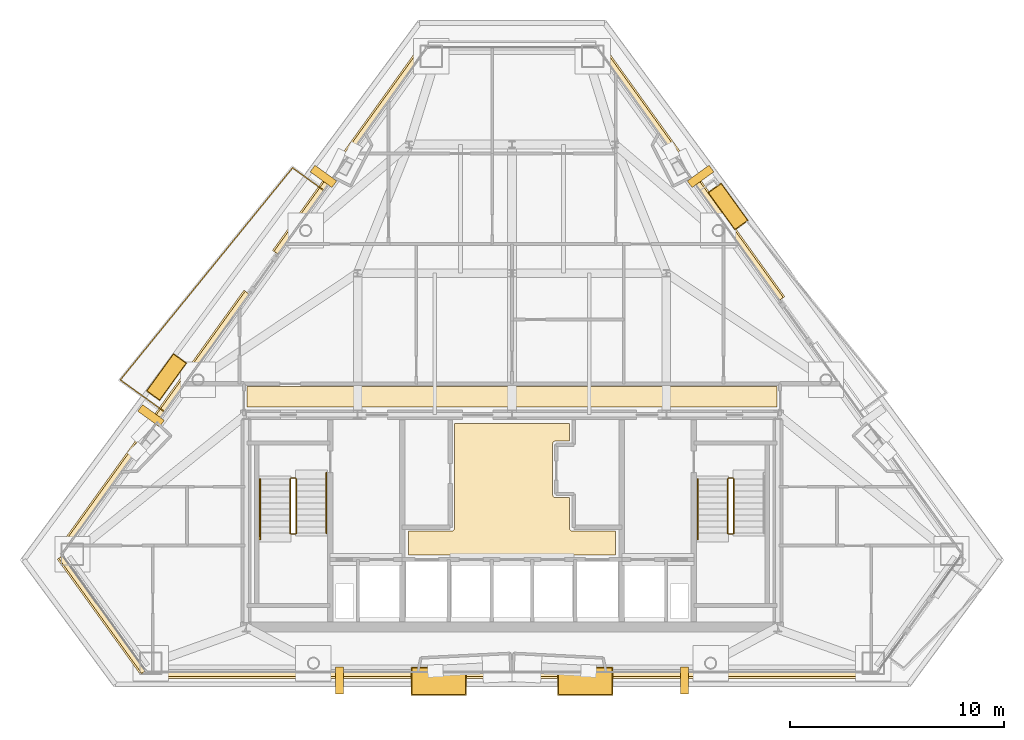
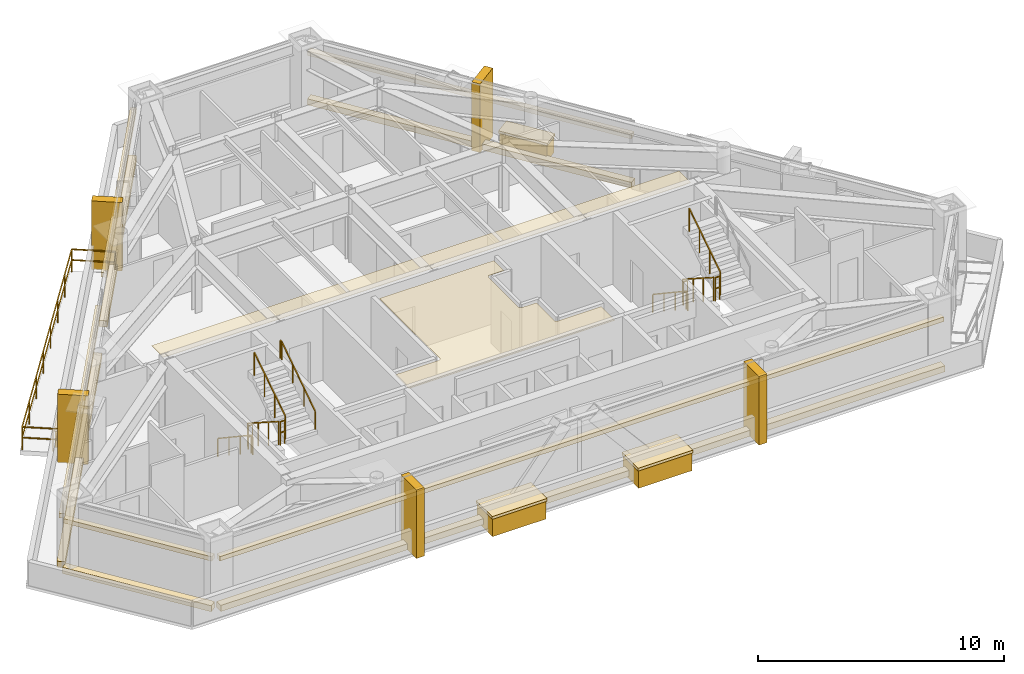
# One storey, part 10 of 11: 25 coverings, 12 railings.
"""IFC4 building model written with IfcOpenShell, lengths in metres."""

from ifc_helpers import new_model, si_unit, direction, frame, origin, origin_2d, place, context, subcontext, project, spatial, polyline, rectangle, outline, extrude, material, layer, layer_set, type_object, element, save


model = new_model("IFC4")

# Units and contexts
model_context = context("Model", 3, precision=1e-05, world=origin(), true_north=direction((0.0, 1.0)))
body_context = subcontext(model_context, "Body", "Model", "MODEL_VIEW")
ifc_project = project(units=[si_unit("LENGTHUNIT", "METRE"), si_unit("AREAUNIT", "SQUARE_METRE"), si_unit("VOLUMEUNIT", "CUBIC_METRE"), si_unit("PLANEANGLEUNIT", "RADIAN"), si_unit("MASSUNIT", "GRAM", prefix="KILO")], contexts=[model_context])

# Site, building, storey
site_placement = place(None, origin())
site = spatial("IfcSite", under=ifc_project, at=site_placement, CompositionType="ELEMENT")
building_placement = place(site_placement, origin())
building = spatial("IfcBuilding", under=site, at=building_placement, Name="Talgorran Terracotta Tower", CompositionType="ELEMENT")
storey_placement = place(building_placement, frame((0.0, 0.0, 185.699951171875)))
storey = spatial("IfcBuildingStorey", under=building, at=storey_placement, Name="L48", CompositionType="ELEMENT", Elevation=185.699951171875)

# Coverings
ifc_material_1 = material(Name="Kiln-Fired Terracotta Ochre Ceramic", Category="masonry")
ifc_layer_1 = layer(ifc_material_1, 0.179931640625, Name="COV_BAGUETTE_TERRACOTTA_SCREEN")
ifc_layer_set_1 = layer_set([ifc_layer_1], Name="Kiln-Fired Terracotta Ochre Ceramic")
covering_type_1 = type_object("IfcCoveringType", Name="COV_BAGUETTE_TERRACOTTA_SCREEN", PredefinedType="CLADDING", material=ifc_layer_set_1)
covering_1_placement = place(storey_placement, frame((-19.0947265625, -13.504638671875, 2.41015625), z_axis=(0.0, 0.0, 1.0), x_axis=(0.584405465888, -0.811461799125, 0.0)))
element("IfcCovering", 1, at=covering_1_placement, inside=storey, type_object=covering_type_1, Name="L48 Terracotta Baguette Solar Screen Assembly F0", PredefinedType="CLADDING", context=body_context, shape_type="SweptSolid", body=[
    extrude(rectangle(XDim=6.61181640625, YDim=0.260009765625, at=origin_2d()), origin(), (0.0, 0.0, 1.0), 0.219970703125),
])
covering_2_placement = place(storey_placement, frame((0.0, -16.28564453125, 2.41015625), z_axis=(0.0, 0.0, 1.0), x_axis=(1.0, 0.0, 0.0)))
element("IfcCovering", 2, at=covering_2_placement, inside=storey, type_object=covering_type_1, Name="L48 Terracotta Baguette Solar Screen Assembly F1", PredefinedType="CLADDING", context=body_context, shape_type="SweptSolid", body=[
    extrude(rectangle(XDim=33.941650390625, YDim=0.260009765625, at=origin_2d()), origin(), (0.0, 0.0, 1.0), 0.219970703125),
])
covering_3_placement = place(storey_placement, frame((8.3291015625, 7.03955078125, 2.41015625), z_axis=(0.0, 0.0, 1.0), x_axis=(-0.584405465888, 0.811461799125, 0.0)))
element("IfcCovering", 3, at=covering_3_placement, inside=storey, type_object=covering_type_1, Name="L48 Terracotta Baguette Solar Screen Assembly F41", PredefinedType="CLADDING", context=body_context, shape_type="SweptSolid", body=[
    extrude(rectangle(XDim=14.417724609375, YDim=0.260009765625, at=origin_2d()), origin(), (0.0, 0.0, 1.0), 0.219970703125),
])
covering_4_placement = place(storey_placement, frame((-7.55322265625, 8.11669921875, 2.41015625), z_axis=(0.0, 0.0, 1.0), x_axis=(-0.584405465888, -0.811461799125, 0.0)))
element("IfcCovering", 4, at=covering_4_placement, inside=storey, type_object=covering_type_1, Name="L48 Terracotta Baguette Solar Screen Assembly F60", PredefinedType="CLADDING", context=body_context, shape_type="SweptSolid", body=[
    extrude(rectangle(XDim=11.76318359375, YDim=0.260009765625, at=origin_2d()), origin(), (0.0, 0.0, 1.0), 0.219970703125),
])
covering_5_placement = place(storey_placement, frame((-16.669189453125, -4.540771484375, 2.41015625), z_axis=(0.0, 0.0, 1.0), x_axis=(-0.584405465888, -0.811461799125, 0.0)))
element("IfcCovering", 5, at=covering_5_placement, inside=storey, type_object=covering_type_1, Name="L48 Terracotta Baguette Solar Screen Assembly F61", PredefinedType="CLADDING", context=body_context, shape_type="SweptSolid", body=[
    extrude(rectangle(XDim=14.833251953125, YDim=0.260009765625, at=origin_2d()), origin(), (0.0, 0.0, 1.0), 0.219970703125),
])
ifc_material_2 = material(Name="Mineral Fibre Acoustic Tile")
ifc_layer_2 = layer(ifc_material_2, 0.02490234375, Name="COV_CEIL_ACOUSTIC")
ifc_layer_set_2 = layer_set([ifc_layer_2], Name="Mineral Fibre Acoustic Tile")
covering_type_2 = type_object("IfcCoveringType", Name="COV_CEIL_ACOUSTIC", PredefinedType="CEILING", material=ifc_layer_set_2)
covering_6_placement = place(storey_placement, frame((0.0, 0.0, 3.260009765625)))
element("IfcCovering", 6, at=covering_6_placement, inside=storey, type_object=covering_type_2, Name="CEIL-L48-2", PredefinedType="CEILING", context=body_context, shape_type="SweptSolid", body=[
    extrude(outline(polyline([(-12.364990234375, -2.885009765625), (12.364990234375, -2.885009765625), (12.364990234375, -3.830078125), (12.169921875, -3.830078125), (12.158203125, -3.83056640625), (12.146484375, -3.832275390625), (12.13525390625, -3.835205078125), (12.1240234375, -3.839111328125), (12.11328125, -3.84423828125), (12.112060546875, -3.844970703125), (7.432861328125, -3.844970703125), (6.968017578125, -3.843017578125), (6.967529296875, -3.843017578125), (0.232666015625, -3.844970703125), (-0.23193359375, -3.843017578125), (-0.232421875, -3.843017578125), (-6.96728515625, -3.844970703125), (-7.431884765625, -3.843017578125), (-7.4326171875, -3.843017578125), (-12.112060546875, -3.844970703125), (-12.11328125, -3.84423828125), (-12.1240234375, -3.839111328125), (-12.13525390625, -3.835205078125), (-12.146484375, -3.832275390625), (-12.158203125, -3.83056640625), (-12.169921875, -3.830078125), (-12.364990234375, -3.830078125), (-12.364990234375, -2.885009765625)])), origin(), (0.0, 0.0, 1.0), 0.02001953125),
])
ifc_material_3 = material(Name="Flush Moisture-Resistant Plaster")
ifc_layer_3 = layer(ifc_material_3, 0.01806640625, Name="COV_CEIL_PLASTER")
ifc_layer_set_3 = layer_set([ifc_layer_3], Name="Flush Moisture-Resistant Plaster")
covering_type_3 = type_object("IfcCoveringType", Name="COV_CEIL_PLASTER", PredefinedType="CEILING", material=ifc_layer_set_3)
covering_7_placement = place(storey_placement, frame((0.0, 0.0, 3.260009765625)))
element("IfcCovering", 7, at=covering_7_placement, inside=storey, type_object=covering_type_3, Name="CEIL-L48-1", PredefinedType="CEILING", context=body_context, shape_type="SweptSolid", body=[
    extrude(outline(polyline([(4.830078125, -9.6201171875), (4.830078125, -10.72998046875), (-4.830078125, -10.72998046875), (-4.830078125, -9.6201171875), (-2.800048828125, -9.6201171875), (-2.7880859375, -9.619384765625), (-2.776611328125, -9.61767578125), (-2.76513671875, -9.61474609375), (-2.754150390625, -9.61083984375), (-2.743408203125, -9.605712890625), (-2.7333984375, -9.599853515625), (-2.723876953125, -9.5927734375), (-2.715087890625, -9.5849609375), (-2.707275390625, -9.576171875), (-2.7001953125, -9.566650390625), (-2.694091796875, -9.556640625), (-2.689208984375, -9.5458984375), (-2.685302734375, -9.534912109375), (-2.682373046875, -9.5234375), (-2.6806640625, -9.51171875), (-2.679931640625, -9.5), (-2.679931640625, -4.6201171875), (2.679931640625, -4.6201171875), (2.679931640625, -5.429931640625), (2.02001953125, -5.429931640625), (2.00830078125, -5.4306640625), (1.99658203125, -5.432373046875), (1.985107421875, -5.435302734375), (1.97412109375, -5.439208984375), (1.96337890625, -5.444091796875), (1.953369140625, -5.4501953125), (1.94384765625, -5.457275390625), (1.93505859375, -5.465087890625), (1.92724609375, -5.473876953125), (1.920166015625, -5.4833984375), (1.914306640625, -5.493408203125), (1.9091796875, -5.504150390625), (1.9052734375, -5.51513671875), (1.90234375, -5.526611328125), (1.900634765625, -5.5380859375), (1.89990234375, -5.550048828125), (1.89990234375, -7.949951171875), (1.900634765625, -7.9619140625), (1.90234375, -7.973388671875), (1.9052734375, -7.98486328125), (1.9091796875, -7.995849609375), (1.914306640625, -8.006591796875), (1.920166015625, -8.0166015625), (1.92724609375, -8.026123046875), (1.93505859375, -8.034912109375), (1.94384765625, -8.042724609375), (1.953369140625, -8.0498046875), (1.96337890625, -8.055908203125), (1.97412109375, -8.060791015625), (1.985107421875, -8.064697265625), (1.99658203125, -8.067626953125), (2.00830078125, -8.0693359375), (2.02001953125, -8.070068359375), (2.679931640625, -8.070068359375), (2.679931640625, -9.5), (2.6806640625, -9.51171875), (2.682373046875, -9.5234375), (2.685302734375, -9.534912109375), (2.689208984375, -9.5458984375), (2.694091796875, -9.556640625), (2.7001953125, -9.566650390625), (2.707275390625, -9.576171875), (2.715087890625, -9.5849609375), (2.723876953125, -9.5927734375), (2.7333984375, -9.599853515625), (2.743408203125, -9.605712890625), (2.754150390625, -9.61083984375), (2.76513671875, -9.61474609375), (2.776611328125, -9.61767578125), (2.7880859375, -9.619384765625), (2.800048828125, -9.6201171875), (4.830078125, -9.6201171875)])), origin(), (0.0, 0.0, 1.0), 0.02001953125),
])
ifc_material_4 = material(Name="Honed Limestone and Terracotta Planter", Category="masonry")
ifc_layer_4 = layer(ifc_material_4, 0.1201171875, Name="COV_PLANTER_BOX")
ifc_layer_set_4 = layer_set([ifc_layer_4], Name="Honed Limestone and Terracotta Planter")
covering_type_4 = type_object("IfcCoveringType", Name="COV_PLANTER_BOX", PredefinedType="CLADDING", material=ifc_layer_set_4)
for number, where, z_axis, x_axis, name in (
    (8, (-3.42041015625, -16.62548828125, -0.179931640625), (0.0, 0.0, 1.0), (1.0, 0.0, 0.0), "L48 Staggered South Facade Planter Box 1"),
    (9, (3.42041015625, -16.62548828125, -0.179931640625), (0.0, 0.0, 1.0), (1.0, 0.0, 0.0), "L48 Staggered South Facade Planter Box 2"),
):
    element("IfcCovering", number, at=place(storey_placement, frame(where, z_axis=z_axis, x_axis=x_axis)), inside=storey, type_object=covering_type_4, Name=name, PredefinedType="CLADDING", context=body_context, shape_type="SweptSolid", body=[
        extrude(rectangle(XDim=2.5, YDim=1.25, at=origin_2d()), origin(), (0.0, 0.0, 1.0), 0.919921875),
    ])
for number, where, z_axis, x_axis, name in (
    (10, (10.072998046875, 5.506103515625, -0.02001953125), (0.0, 0.0, 1.0), (-0.584405465888, 0.811461799125, 0.0), "L48 Staggered Balcony Planter Box BAL-NE"),
    (11, (-16.107177734375, -2.44287109375, -0.02001953125), (0.0, 0.0, 1.0), (-0.584405465888, -0.811461799125, 0.0), "L48 Staggered Balcony Planter Box BAL-NW"),
):
    element("IfcCovering", number, at=place(storey_placement, frame(where, z_axis=z_axis, x_axis=x_axis)), inside=storey, type_object=covering_type_4, Name=name, PredefinedType="CLADDING", context=body_context, shape_type="SweptSolid", body=[
        extrude(rectangle(XDim=2.10009765625, YDim=0.719970703125, at=origin_2d()), origin(), (0.0, 0.0, 1.0), 0.860107421875),
    ])
ifc_material_5 = material(Name="Kiln-Fired Terracotta Planter Rim", Category="masonry")
ifc_layer_5 = layer(ifc_material_5, 0.10009765625, Name="COV_PLANTER_RIM")
ifc_layer_set_5 = layer_set([ifc_layer_5], Name="Kiln-Fired Terracotta Planter Rim")
covering_type_5 = type_object("IfcCoveringType", Name="COV_PLANTER_RIM", PredefinedType="CLADDING", material=ifc_layer_set_5)
for number, where, z_axis, x_axis, name in (
    (12, (-3.42041015625, -16.62548828125, 0.7099609375), (0.0, 0.0, 1.0), (1.0, 0.0, 0.0), "L48 South Planter Terracotta Rim 1"),
    (13, (3.42041015625, -16.62548828125, 0.7099609375), (0.0, 0.0, 1.0), (1.0, 0.0, 0.0), "L48 South Planter Terracotta Rim 2"),
):
    element("IfcCovering", number, at=place(storey_placement, frame(where, z_axis=z_axis, x_axis=x_axis)), inside=storey, type_object=covering_type_5, Name=name, PredefinedType="CLADDING", context=body_context, shape_type="SweptSolid", body=[
        extrude(rectangle(XDim=2.580078125, YDim=1.320068359375, at=origin_2d()), origin(), (0.0, 0.0, 1.0), 0.139892578125),
    ])
for number, where, z_axis, x_axis, name in (
    (14, (10.072998046875, 5.506103515625, 0.800048828125), (0.0, 0.0, 1.0), (-0.584405465888, 0.811461799125, 0.0), "L48 Balcony Planter Terracotta Rim BAL-NE"),
    (15, (-16.107177734375, -2.44287109375, 0.800048828125), (0.0, 0.0, 1.0), (-0.584405465888, -0.811461799125, 0.0), "L48 Balcony Planter Terracotta Rim BAL-NW"),
):
    element("IfcCovering", number, at=place(storey_placement, frame(where, z_axis=z_axis, x_axis=x_axis)), inside=storey, type_object=covering_type_5, Name=name, PredefinedType="CLADDING", context=body_context, shape_type="SweptSolid", body=[
        extrude(rectangle(XDim=2.179931640625, YDim=0.780029296875, at=origin_2d()), origin(), (0.0, 0.0, 1.0), 0.1201171875),
    ])
ifc_material_6 = material(Name="Honed Limestone Cladding", Category="masonry")
ifc_layer_6 = layer(ifc_material_6, 0.094970703125, Name="COV_PORTAL_LIME")
ifc_layer_set_6 = layer_set([ifc_layer_6], Name="Honed Limestone Cladding")
covering_type_6 = type_object("IfcCoveringType", Name="COV_PORTAL_LIME", PredefinedType="CLADDING", material=ifc_layer_set_6)
covering_8_placement = place(storey_placement, frame((-19.127197265625, -13.528076171875, -0.0400390625), z_axis=(0.0, 0.0, 1.0), x_axis=(0.584405465888, -0.811461799125, 0.0)))
element("IfcCovering", 16, at=covering_8_placement, inside=storey, type_object=covering_type_6, Name="L48 Striped Postmodern Portal Cladding Band F0", PredefinedType="CLADDING", context=body_context, shape_type="SweptSolid", body=[
    extrude(rectangle(XDim=6.6318359375, YDim=0.340087890625, at=origin_2d()), origin(), (0.0, 0.0, 1.0), 0.300048828125),
])
covering_9_placement = place(storey_placement, frame((0.0, -16.32568359375, -0.0400390625), z_axis=(0.0, 0.0, 1.0), x_axis=(1.0, 0.0, 0.0)))
element("IfcCovering", 17, at=covering_9_placement, inside=storey, type_object=covering_type_6, Name="L48 Striped Postmodern Portal Cladding Band F1", PredefinedType="CLADDING", context=body_context, shape_type="SweptSolid", body=[
    extrude(rectangle(XDim=33.961669921875, YDim=0.340087890625, at=origin_2d()), origin(), (0.0, 0.0, 1.0), 0.300048828125),
])
covering_10_placement = place(storey_placement, frame((8.361572265625, 7.06298828125, -0.0400390625), z_axis=(0.0, 0.0, 1.0), x_axis=(-0.584405465888, 0.811461799125, 0.0)))
element("IfcCovering", 18, at=covering_10_placement, inside=storey, type_object=covering_type_6, Name="L48 Striped Postmodern Portal Cladding Band F41", PredefinedType="CLADDING", context=body_context, shape_type="SweptSolid", body=[
    extrude(rectangle(XDim=14.437744140625, YDim=0.340087890625, at=origin_2d()), origin(), (0.0, 0.0, 1.0), 0.300048828125),
])
covering_11_placement = place(storey_placement, frame((-7.585693359375, 8.139892578125, -0.0400390625), z_axis=(0.0, 0.0, 1.0), x_axis=(-0.584405465888, -0.811461799125, 0.0)))
element("IfcCovering", 19, at=covering_11_placement, inside=storey, type_object=covering_type_6, Name="L48 Striped Postmodern Portal Cladding Band F60", PredefinedType="CLADDING", context=body_context, shape_type="SweptSolid", body=[
    extrude(rectangle(XDim=11.783203125, YDim=0.340087890625, at=origin_2d()), origin(), (0.0, 0.0, 1.0), 0.300048828125),
])
covering_12_placement = place(storey_placement, frame((-16.70166015625, -4.517333984375, -0.0400390625), z_axis=(0.0, 0.0, 1.0), x_axis=(-0.584405465888, -0.811461799125, 0.0)))
element("IfcCovering", 20, at=covering_12_placement, inside=storey, type_object=covering_type_6, Name="L48 Striped Postmodern Portal Cladding Band F61", PredefinedType="CLADDING", context=body_context, shape_type="SweptSolid", body=[
    extrude(rectangle(XDim=14.853271484375, YDim=0.340087890625, at=origin_2d()), origin(), (0.0, 0.0, 1.0), 0.300048828125),
])
for number, where, z_axis, x_axis, name in (
    (21, (8.0380859375, -16.585693359375, -0.0498046875), (0.0, 0.0, 1.0), (1.0, 0.0, 0.0), "L48 White Striped Portal Fin F1-2"),
    (22, (8.79150390625, 6.910888671875, -0.0498046875), (0.0, 0.0, 1.0), (-0.584405465888, 0.811461799125, 0.0), "L48 White Striped Portal Fin F3-2"),
    (23, (-16.82958984375, -4.250244140625, -0.0498046875), (0.0, 0.0, 1.0), (-0.584405465888, -0.811461799125, 0.0), "L48 White Striped Portal Fin F5-2"),
):
    element("IfcCovering", number, at=place(storey_placement, frame(where, z_axis=z_axis, x_axis=x_axis)), inside=storey, type_object=covering_type_6, Name=name, PredefinedType="CLADDING", context=body_context, shape_type="SweptSolid", body=[
        extrude(rectangle(XDim=0.3798828125, YDim=1.25, at=origin_2d()), origin(), (0.0, 0.0, 1.0), 3.39990234375),
    ])
ifc_material_7 = material(Name="Kiln-Fired Terracotta Cladding", Category="masonry")
ifc_layer_7 = layer(ifc_material_7, 0.090087890625, Name="COV_PORTAL_TERRA")
ifc_layer_set_7 = layer_set([ifc_layer_7], Name="Kiln-Fired Terracotta Cladding")
covering_type_7 = type_object("IfcCoveringType", Name="COV_PORTAL_TERRA", PredefinedType="CLADDING", material=ifc_layer_set_7)
for number, where, z_axis, x_axis, name in (
    (24, (-8.0380859375, -16.585693359375, -0.0498046875), (0.0, 0.0, 1.0), (1.0, 0.0, 0.0), "L48 Terracotta Striped Portal Fin F1-1"),
    (25, (-8.79150390625, 6.910888671875, -0.0498046875), (0.0, 0.0, 1.0), (-0.584405465888, -0.811461799125, 0.0), "L48 Terracotta Striped Portal Fin F5-1"),
):
    element("IfcCovering", number, at=place(storey_placement, frame(where, z_axis=z_axis, x_axis=x_axis)), inside=storey, type_object=covering_type_7, Name=name, PredefinedType="CLADDING", context=body_context, shape_type="SweptSolid", body=[
        extrude(rectangle(XDim=0.3798828125, YDim=1.25, at=origin_2d()), origin(), (0.0, 0.0, 1.0), 3.39990234375),
    ])

# Railings
ifc_material_8 = material(Name="Laminated Glass and Stainless Steel 316", Category="steel")
railing_type_1 = type_object("IfcRailingType", Name="RL_BALCONY_1150", PredefinedType="BALUSTRADE", material=ifc_material_8)
railing_1_placement = place(storey_placement, frame((-8.78662109375, 6.267578125, 0.0)))
element("IfcRailing", 26, at=railing_1_placement, inside=storey, type_object=railing_type_1, Name="RL-L48-BAL-BAL-NW", PredefinedType="BALUSTRADE", context=body_context, shape_type="SweptSolid", body=[
    extrude(rectangle(XDim=0.048095703125, YDim=0.048095703125, at=origin_2d()), frame((0.0, 0.0, 1.1259765625), z_axis=(-0.811401691875, 0.58448891728, 0.0), x_axis=(-0.58448891728, -0.811401691875, 0.0)), (0.0, 0.0, 1.0), 1.78076171875),
    extrude(rectangle(XDim=0.048095703125, YDim=0.048095703125, at=origin_2d()), frame((0.0, 0.0, 0.597900390625), z_axis=(-0.811401691875, 0.58448891728, 0.0), x_axis=(-0.58448891728, -0.811401691875, 0.0)), (0.0, 0.0, 1.0), 1.78076171875),
    extrude(rectangle(XDim=0.048095703125, YDim=0.048095703125, at=origin_2d()), frame((-1.44482421875, 1.040771484375, 1.1259765625), z_axis=(-0.630597676023, -0.77610989621, 0.0), x_axis=(0.77610989621, -0.630597676023, 0.0)), (0.0, 0.0, 1.0), 12.73779296875),
    extrude(rectangle(XDim=0.048095703125, YDim=0.048095703125, at=origin_2d()), frame((-1.44482421875, 1.040771484375, 0.597900390625), z_axis=(-0.630597676023, -0.77610989621, 0.0), x_axis=(0.77610989621, -0.630597676023, 0.0)), (0.0, 0.0, 1.0), 12.73779296875),
    extrude(rectangle(XDim=0.048095703125, YDim=0.048095703125, at=origin_2d()), frame((-9.477294921875, -8.84521484375, 1.1259765625), z_axis=(0.811424132133, -0.584457763908, 0.0), x_axis=(0.584457763908, 0.811424132133, 0.0)), (0.0, 0.0, 1.0), 2.521484375),
    extrude(rectangle(XDim=0.048095703125, YDim=0.048095703125, at=origin_2d()), frame((-9.477294921875, -8.84521484375, 0.597900390625), z_axis=(0.811424132133, -0.584457763908, 0.0), x_axis=(0.584457763908, 0.811424132133, 0.0)), (0.0, 0.0, 1.0), 2.521484375),
    extrude(rectangle(XDim=0.0419921875, YDim=0.0419921875, at=origin_2d()), origin(), (0.0, 0.0, 1.0), 1.101806640625),
    extrude(rectangle(XDim=0.0419921875, YDim=0.0419921875, at=origin_2d()), frame((-1.44482421875, 1.040771484375, 0.0)), (0.0, 0.0, 1.0), 1.101806640625),
    extrude(rectangle(XDim=0.0419921875, YDim=0.0419921875, at=origin_2d()), frame((-2.59228515625, -0.37158203125, 0.0)), (0.0, 0.0, 1.0), 1.101806640625),
    extrude(rectangle(XDim=0.0419921875, YDim=0.0419921875, at=origin_2d()), frame((-3.73974609375, -1.78369140625, 0.0)), (0.0, 0.0, 1.0), 1.101806640625),
    extrude(rectangle(XDim=0.0419921875, YDim=0.0419921875, at=origin_2d()), frame((-4.88720703125, -3.196044921875, 0.0)), (0.0, 0.0, 1.0), 1.101806640625),
    extrude(rectangle(XDim=0.0419921875, YDim=0.0419921875, at=origin_2d()), frame((-6.034912109375, -4.6083984375, 0.0)), (0.0, 0.0, 1.0), 1.101806640625),
    extrude(rectangle(XDim=0.0419921875, YDim=0.0419921875, at=origin_2d()), frame((-7.182373046875, -6.020751953125, 0.0)), (0.0, 0.0, 1.0), 1.101806640625),
    extrude(rectangle(XDim=0.0419921875, YDim=0.0419921875, at=origin_2d()), frame((-8.329833984375, -7.432861328125, 0.0)), (0.0, 0.0, 1.0), 1.101806640625),
    extrude(rectangle(XDim=0.0419921875, YDim=0.0419921875, at=origin_2d()), frame((-9.477294921875, -8.84521484375, 0.0)), (0.0, 0.0, 1.0), 1.101806640625),
    extrude(rectangle(XDim=0.0419921875, YDim=0.0419921875, at=origin_2d()), frame((-8.454345703125, -9.58203125, 0.0)), (0.0, 0.0, 1.0), 1.101806640625),
    extrude(rectangle(XDim=0.0419921875, YDim=0.0419921875, at=origin_2d()), frame((-7.431396484375, -10.31884765625, 0.0)), (0.0, 0.0, 1.0), 1.101806640625),
])
ifc_material_9 = material(Name="Steel S355 (300PLUS)", Category="steel")
railing_type_2 = type_object("IfcRailingType", Name="RL_HANDRAIL_920", PredefinedType="HANDRAIL", material=ifc_material_9)
railing_2_placement = place(storey_placement, frame((-11.75, -7.199951171875, 0.179931640625)))
element("IfcRailing", 27, at=railing_2_placement, inside=storey, type_object=railing_type_2, Name="L48 ST-01 stair handrail 1", PredefinedType="HANDRAIL", context=body_context, shape_type="SweptSolid", body=[
    extrude(rectangle(XDim=0.048095703125, YDim=0.048095703125, at=origin_2d()), frame((0.0, 0.0, 0.89599609375), z_axis=(0.0, -0.832038719335, 0.554717558338), x_axis=(1.0, 0.0, 0.0)), (0.0, 0.0, 1.0), 3.244873046875),
    extrude(rectangle(XDim=0.048095703125, YDim=0.048095703125, at=origin_2d()), frame((0.0, -2.699951171875, 2.69580078125), z_axis=(0.0, -1.0, 0.0), x_axis=(1.0, 0.0, 0.0)), (0.0, 0.0, 1.0), 0.1201171875),
    extrude(rectangle(XDim=0.0419921875, YDim=0.0419921875, at=origin_2d()), origin(), (0.0, 0.0, 1.0), 0.871826171875),
    extrude(rectangle(XDim=0.0419921875, YDim=0.0419921875, at=origin_2d()), frame((0.0, -0.89990234375, 0.60009765625)), (0.0, 0.0, 1.0), 0.871826171875),
    extrude(rectangle(XDim=0.0419921875, YDim=0.0419921875, at=origin_2d()), frame((0.0, -1.800048828125, 1.199951171875)), (0.0, 0.0, 1.0), 0.871826171875),
    extrude(rectangle(XDim=0.0419921875, YDim=0.0419921875, at=origin_2d()), frame((0.0, -2.699951171875, 1.800048828125)), (0.0, 0.0, 1.0), 0.871826171875),
    extrude(rectangle(XDim=0.0419921875, YDim=0.0419921875, at=origin_2d()), frame((0.0, -2.820068359375, 1.800048828125)), (0.0, 0.0, 1.0), 0.871826171875),
])
railing_3_placement = place(storey_placement, frame((-8.64990234375, -9.719970703125, 1.97998046875)))
element("IfcRailing", 28, at=railing_3_placement, inside=storey, type_object=railing_type_2, Name="L48 ST-01 stair handrail 2", PredefinedType="HANDRAIL", context=body_context, shape_type="SweptSolid", body=[
    extrude(rectangle(XDim=0.048095703125, YDim=0.048095703125, at=origin_2d()), frame((0.0, 0.0, 0.89599609375), z_axis=(0.0, 0.832038719335, 0.554717558338), x_axis=(-1.0, 0.0, 0.0)), (0.0, 0.0, 1.0), 3.244873046875),
    extrude(rectangle(XDim=0.048095703125, YDim=0.048095703125, at=origin_2d()), frame((0.0, 2.699951171875, 2.69580078125), z_axis=(0.0, 1.0, 0.0), x_axis=(-1.0, 0.0, 0.0)), (0.0, 0.0, 1.0), 0.1201171875),
    extrude(rectangle(XDim=0.0419921875, YDim=0.0419921875, at=origin_2d()), origin(), (0.0, 0.0, 1.0), 0.871826171875),
    extrude(rectangle(XDim=0.0419921875, YDim=0.0419921875, at=origin_2d()), frame((0.0, 0.89990234375, 0.60009765625)), (0.0, 0.0, 1.0), 0.871826171875),
    extrude(rectangle(XDim=0.0419921875, YDim=0.0419921875, at=origin_2d()), frame((0.0, 1.800048828125, 1.199951171875)), (0.0, 0.0, 1.0), 0.871826171875),
    extrude(rectangle(XDim=0.0419921875, YDim=0.0419921875, at=origin_2d()), frame((0.0, 2.699951171875, 1.800048828125)), (0.0, 0.0, 1.0), 0.871826171875),
    extrude(rectangle(XDim=0.0419921875, YDim=0.0419921875, at=origin_2d()), frame((0.0, 2.820068359375, 1.800048828125)), (0.0, 0.0, 1.0), 0.871826171875),
])
railing_4_placement = place(storey_placement, frame((8.64990234375, -7.199951171875, 0.179931640625)))
element("IfcRailing", 29, at=railing_4_placement, inside=storey, type_object=railing_type_2, Name="L48 ST-02 stair handrail 1", PredefinedType="HANDRAIL", context=body_context, shape_type="SweptSolid", body=[
    extrude(rectangle(XDim=0.048095703125, YDim=0.048095703125, at=origin_2d()), frame((0.0, 0.0, 0.89599609375), z_axis=(0.0, -0.832038719335, 0.554717558338), x_axis=(1.0, 0.0, 0.0)), (0.0, 0.0, 1.0), 3.244873046875),
    extrude(rectangle(XDim=0.048095703125, YDim=0.048095703125, at=origin_2d()), frame((0.0, -2.699951171875, 2.69580078125), z_axis=(0.0, -1.0, 0.0), x_axis=(1.0, 0.0, 0.0)), (0.0, 0.0, 1.0), 0.1201171875),
    extrude(rectangle(XDim=0.0419921875, YDim=0.0419921875, at=origin_2d()), origin(), (0.0, 0.0, 1.0), 0.871826171875),
    extrude(rectangle(XDim=0.0419921875, YDim=0.0419921875, at=origin_2d()), frame((0.0, -0.89990234375, 0.60009765625)), (0.0, 0.0, 1.0), 0.871826171875),
    extrude(rectangle(XDim=0.0419921875, YDim=0.0419921875, at=origin_2d()), frame((0.0, -1.800048828125, 1.199951171875)), (0.0, 0.0, 1.0), 0.871826171875),
    extrude(rectangle(XDim=0.0419921875, YDim=0.0419921875, at=origin_2d()), frame((0.0, -2.699951171875, 1.800048828125)), (0.0, 0.0, 1.0), 0.871826171875),
    extrude(rectangle(XDim=0.0419921875, YDim=0.0419921875, at=origin_2d()), frame((0.0, -2.820068359375, 1.800048828125)), (0.0, 0.0, 1.0), 0.871826171875),
])
railing_type_3 = type_object("IfcRailingType", Name="RL_STAIR_GUARD", PredefinedType="GUARDRAIL", material=ifc_material_9)
railing_5_placement = place(storey_placement, frame((-10.35009765625, -7.199951171875, 0.179931640625)))
element("IfcRailing", 30, at=railing_5_placement, inside=storey, type_object=railing_type_3, Name="L48 ST-01 stair guard 1", PredefinedType="GUARDRAIL", context=body_context, shape_type="SweptSolid", body=[
    extrude(rectangle(XDim=0.048095703125, YDim=0.048095703125, at=origin_2d()), frame((0.0, 0.0, 1.15576171875), z_axis=(0.0, -0.841162588446, 0.540782303519), x_axis=(1.0, 0.0, 0.0)), (0.0, 0.0, 1.0), 2.995849609375),
    extrude(rectangle(XDim=0.0419921875, YDim=0.0419921875, at=origin_2d()), origin(), (0.0, 0.0, 1.0), 1.1318359375),
    extrude(rectangle(XDim=0.0419921875, YDim=0.0419921875, at=origin_2d()), frame((0.0, -0.840087890625, 0.5400390625)), (0.0, 0.0, 1.0), 1.1318359375),
    extrude(rectangle(XDim=0.0419921875, YDim=0.0419921875, at=origin_2d()), frame((0.0, -1.679931640625, 1.080078125)), (0.0, 0.0, 1.0), 1.1318359375),
    extrude(rectangle(XDim=0.0419921875, YDim=0.0419921875, at=origin_2d()), frame((0.0, -2.52001953125, 1.6201171875)), (0.0, 0.0, 1.0), 1.1318359375),
])
railing_6_placement = place(storey_placement, frame((-10.300048828125, -9.77001953125, 1.800048828125)))
element("IfcRailing", 31, at=railing_6_placement, inside=storey, type_object=railing_type_3, Name="L48 ST-01 stair guard 2", PredefinedType="GUARDRAIL", context=body_context, shape_type="SweptSolid", body=[
    extrude(rectangle(XDim=0.048095703125, YDim=0.048095703125, at=origin_2d()), frame((0.0, 0.0, 1.15576171875), z_axis=(1.0, 0.0, 0.0), x_axis=(0.0, 1.0, 0.0)), (0.0, 0.0, 1.0), 0.199951171875),
    extrude(rectangle(XDim=0.048095703125, YDim=0.048095703125, at=origin_2d()), frame((0.0, 0.0, 0.613525390625), z_axis=(1.0, 0.0, 0.0), x_axis=(0.0, 1.0, 0.0)), (0.0, 0.0, 1.0), 0.199951171875),
    extrude(rectangle(XDim=0.0419921875, YDim=0.0419921875, at=origin_2d()), origin(), (0.0, 0.0, 1.0), 1.1318359375),
    extrude(rectangle(XDim=0.0419921875, YDim=0.0419921875, at=origin_2d()), frame((0.199951171875, 0.0, 0.0)), (0.0, 0.0, 1.0), 1.1318359375),
])
railing_7_placement = place(storey_placement, frame((-10.050048828125, -9.719970703125, 1.97998046875)))
element("IfcRailing", 32, at=railing_7_placement, inside=storey, type_object=railing_type_3, Name="L48 ST-01 stair guard 3", PredefinedType="GUARDRAIL", context=body_context, shape_type="SweptSolid", body=[
    extrude(rectangle(XDim=0.048095703125, YDim=0.048095703125, at=origin_2d()), frame((0.0, 0.0, 1.15576171875), z_axis=(0.0, 0.841162588446, 0.540782303519), x_axis=(-1.0, 0.0, 0.0)), (0.0, 0.0, 1.0), 2.995849609375),
    extrude(rectangle(XDim=0.0419921875, YDim=0.0419921875, at=origin_2d()), origin(), (0.0, 0.0, 1.0), 1.1318359375),
    extrude(rectangle(XDim=0.0419921875, YDim=0.0419921875, at=origin_2d()), frame((0.0, 0.840087890625, 0.5400390625)), (0.0, 0.0, 1.0), 1.1318359375),
    extrude(rectangle(XDim=0.0419921875, YDim=0.0419921875, at=origin_2d()), frame((0.0, 1.679931640625, 1.080078125)), (0.0, 0.0, 1.0), 1.1318359375),
    extrude(rectangle(XDim=0.0419921875, YDim=0.0419921875, at=origin_2d()), frame((0.0, 2.52001953125, 1.6201171875)), (0.0, 0.0, 1.0), 1.1318359375),
])
railing_8_placement = place(storey_placement, frame((-10.300048828125, -7.14990234375, 0.0)))
element("IfcRailing", 33, at=railing_8_placement, inside=storey, type_object=railing_type_3, Name="L48 ST-01 stair guard 4", PredefinedType="GUARDRAIL", context=body_context, shape_type="SweptSolid", body=[
    extrude(rectangle(XDim=0.048095703125, YDim=0.048095703125, at=origin_2d()), frame((0.0, 0.0, 1.15576171875), z_axis=(1.0, 0.0, 0.0), x_axis=(0.0, 1.0, 0.0)), (0.0, 0.0, 1.0), 0.199951171875),
    extrude(rectangle(XDim=0.048095703125, YDim=0.048095703125, at=origin_2d()), frame((0.0, 0.0, 0.613525390625), z_axis=(1.0, 0.0, 0.0), x_axis=(0.0, 1.0, 0.0)), (0.0, 0.0, 1.0), 0.199951171875),
    extrude(rectangle(XDim=0.0419921875, YDim=0.0419921875, at=origin_2d()), origin(), (0.0, 0.0, 1.0), 1.1318359375),
    extrude(rectangle(XDim=0.0419921875, YDim=0.0419921875, at=origin_2d()), frame((0.199951171875, 0.0, 0.0)), (0.0, 0.0, 1.0), 1.1318359375),
])
railing_9_placement = place(storey_placement, frame((10.050048828125, -7.199951171875, 0.179931640625)))
element("IfcRailing", 34, at=railing_9_placement, inside=storey, type_object=railing_type_3, Name="L48 ST-02 stair guard 1", PredefinedType="GUARDRAIL", context=body_context, shape_type="SweptSolid", body=[
    extrude(rectangle(XDim=0.048095703125, YDim=0.048095703125, at=origin_2d()), frame((0.0, 0.0, 1.15576171875), z_axis=(0.0, -0.841162588446, 0.540782303519), x_axis=(1.0, 0.0, 0.0)), (0.0, 0.0, 1.0), 2.995849609375),
    extrude(rectangle(XDim=0.0419921875, YDim=0.0419921875, at=origin_2d()), origin(), (0.0, 0.0, 1.0), 1.1318359375),
    extrude(rectangle(XDim=0.0419921875, YDim=0.0419921875, at=origin_2d()), frame((0.0, -0.840087890625, 0.5400390625)), (0.0, 0.0, 1.0), 1.1318359375),
    extrude(rectangle(XDim=0.0419921875, YDim=0.0419921875, at=origin_2d()), frame((0.0, -1.679931640625, 1.080078125)), (0.0, 0.0, 1.0), 1.1318359375),
    extrude(rectangle(XDim=0.0419921875, YDim=0.0419921875, at=origin_2d()), frame((0.0, -2.52001953125, 1.6201171875)), (0.0, 0.0, 1.0), 1.1318359375),
])
railing_10_placement = place(storey_placement, frame((10.10009765625, -9.77001953125, 1.800048828125)))
element("IfcRailing", 35, at=railing_10_placement, inside=storey, type_object=railing_type_3, Name="L48 ST-02 stair guard 2", PredefinedType="GUARDRAIL", context=body_context, shape_type="SweptSolid", body=[
    extrude(rectangle(XDim=0.048095703125, YDim=0.048095703125, at=origin_2d()), frame((0.0, 0.0, 1.15576171875), z_axis=(1.0, 0.0, 0.0), x_axis=(0.0, 1.0, 0.0)), (0.0, 0.0, 1.0), 0.199951171875),
    extrude(rectangle(XDim=0.048095703125, YDim=0.048095703125, at=origin_2d()), frame((0.0, 0.0, 0.613525390625), z_axis=(1.0, 0.0, 0.0), x_axis=(0.0, 1.0, 0.0)), (0.0, 0.0, 1.0), 0.199951171875),
    extrude(rectangle(XDim=0.0419921875, YDim=0.0419921875, at=origin_2d()), origin(), (0.0, 0.0, 1.0), 1.1318359375),
    extrude(rectangle(XDim=0.0419921875, YDim=0.0419921875, at=origin_2d()), frame((0.199951171875, 0.0, 0.0)), (0.0, 0.0, 1.0), 1.1318359375),
])
railing_11_placement = place(storey_placement, frame((10.35009765625, -9.719970703125, 1.97998046875)))
element("IfcRailing", 36, at=railing_11_placement, inside=storey, type_object=railing_type_3, Name="L48 ST-02 stair guard 3", PredefinedType="GUARDRAIL", context=body_context, shape_type="SweptSolid", body=[
    extrude(rectangle(XDim=0.048095703125, YDim=0.048095703125, at=origin_2d()), frame((0.0, 0.0, 1.15576171875), z_axis=(0.0, 0.841162588446, 0.540782303519), x_axis=(-1.0, 0.0, 0.0)), (0.0, 0.0, 1.0), 2.995849609375),
    extrude(rectangle(XDim=0.0419921875, YDim=0.0419921875, at=origin_2d()), origin(), (0.0, 0.0, 1.0), 1.1318359375),
    extrude(rectangle(XDim=0.0419921875, YDim=0.0419921875, at=origin_2d()), frame((0.0, 0.840087890625, 0.5400390625)), (0.0, 0.0, 1.0), 1.1318359375),
    extrude(rectangle(XDim=0.0419921875, YDim=0.0419921875, at=origin_2d()), frame((0.0, 1.679931640625, 1.080078125)), (0.0, 0.0, 1.0), 1.1318359375),
    extrude(rectangle(XDim=0.0419921875, YDim=0.0419921875, at=origin_2d()), frame((0.0, 2.52001953125, 1.6201171875)), (0.0, 0.0, 1.0), 1.1318359375),
])
railing_12_placement = place(storey_placement, frame((10.10009765625, -7.14990234375, 0.0)))
element("IfcRailing", 37, at=railing_12_placement, inside=storey, type_object=railing_type_3, Name="L48 ST-02 stair guard 4", PredefinedType="GUARDRAIL", context=body_context, shape_type="SweptSolid", body=[
    extrude(rectangle(XDim=0.048095703125, YDim=0.048095703125, at=origin_2d()), frame((0.0, 0.0, 1.15576171875), z_axis=(1.0, 0.0, 0.0), x_axis=(0.0, 1.0, 0.0)), (0.0, 0.0, 1.0), 0.199951171875),
    extrude(rectangle(XDim=0.048095703125, YDim=0.048095703125, at=origin_2d()), frame((0.0, 0.0, 0.613525390625), z_axis=(1.0, 0.0, 0.0), x_axis=(0.0, 1.0, 0.0)), (0.0, 0.0, 1.0), 0.199951171875),
    extrude(rectangle(XDim=0.0419921875, YDim=0.0419921875, at=origin_2d()), origin(), (0.0, 0.0, 1.0), 1.1318359375),
    extrude(rectangle(XDim=0.0419921875, YDim=0.0419921875, at=origin_2d()), frame((0.199951171875, 0.0, 0.0)), (0.0, 0.0, 1.0), 1.1318359375),
])

save(model, "model.ifc")
